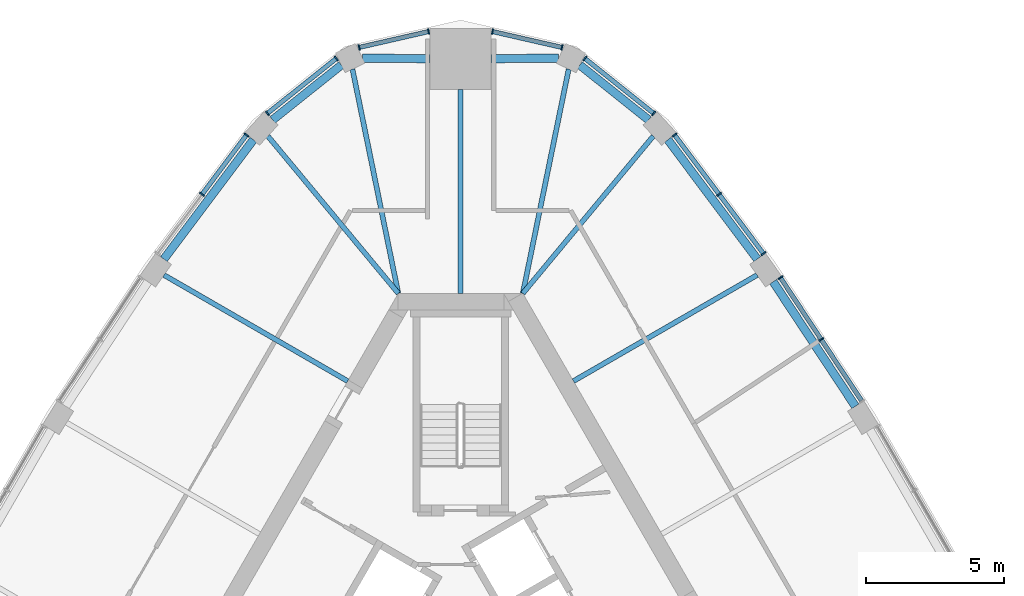
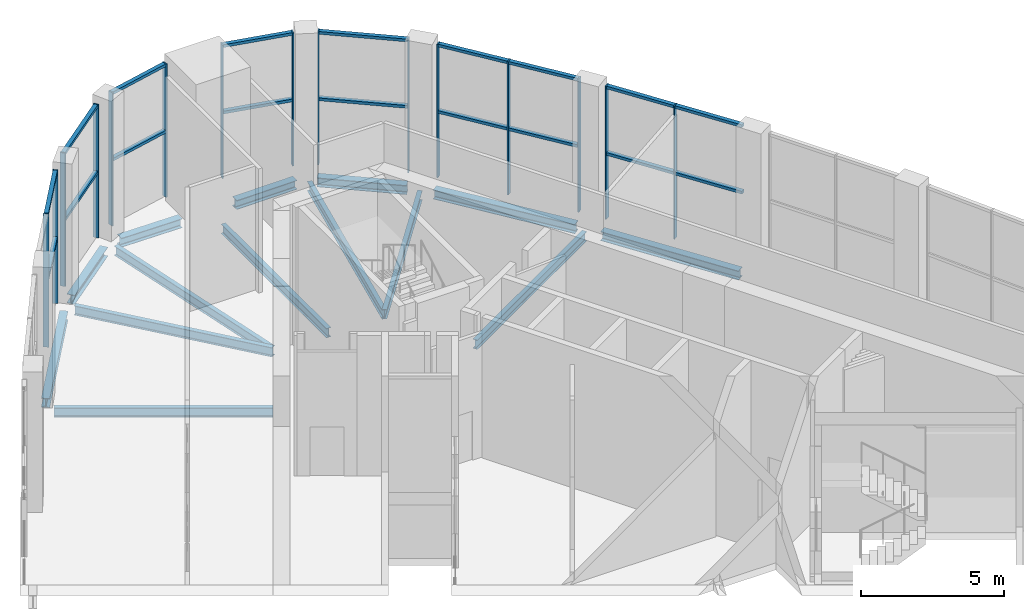
# One storey, part 7 of 15: 33 members, 14 beams, 3 elements without a shape of their own.
"""IFC4 building model written with IfcOpenShell, lengths in metres."""

from ifc_helpers import new_model, si_unit, direction, frame, origin, origin_2d, place, context, subcontext, project, spatial, rectangle, i_section, extrude, material, material_profile, profile_set, type_object, element, aggregate, save


model = new_model("IFC4")

# Units and contexts
model_context = context("Model", 3, precision=1e-05, world=origin(), true_north=direction((0.0, 1.0)))
body_context = subcontext(model_context, "Body", "Model", "MODEL_VIEW")
ifc_project = project(units=[si_unit("LENGTHUNIT", "METRE"), si_unit("AREAUNIT", "SQUARE_METRE"), si_unit("VOLUMEUNIT", "CUBIC_METRE"), si_unit("PLANEANGLEUNIT", "RADIAN"), si_unit("MASSUNIT", "GRAM", prefix="KILO")], contexts=[model_context])

# Site, building, storey
site_placement = place(None, origin())
site = spatial("IfcSite", under=ifc_project, at=site_placement, CompositionType="ELEMENT")
building_placement = place(site_placement, origin())
building = spatial("IfcBuilding", under=site, at=building_placement, Name="Mestral Congress Tower", CompositionType="ELEMENT")
storey_placement = place(building_placement, frame((0.0, 0.0, 321.60009765625)))
storey = spatial("IfcBuildingStorey", under=building, at=storey_placement, Name="L75", CompositionType="ELEMENT", Elevation=321.60009765625)

# Curtain wall, members
ifc_material_1 = material(Name="Clear low-emissivity double glazing", Category="glass")
curtain_wall_type = type_object("IfcCurtainWallType", Name="Facade lookout lounge curtain wall", PredefinedType="USERDEFINED", material=ifc_material_1)
placement = place(storey_placement, origin())
curtain_wall_1 = element("IfcCurtainWall", 1, at=placement, inside=storey, type_object=curtain_wall_type, Name="Facade lookout lounge curtain wall face 2", ObjectType="CURTAIN WALL", PredefinedType="USERDEFINED")
ifc_material_2 = material(Name="Anodised aluminium", Category="aluminium")
ifc_material_profile_1 = material_profile(ifc_material_2, rectangle(XDim=0.199951171875, YDim=0.050048828125, at=origin_2d()), Name="CW2 mullion 200 x 50")
ifc_profile_set_1 = profile_set([ifc_material_profile_1], Name="Anodised aluminium")
member_type_1 = type_object("IfcMemberType", Name="Facade lookout lounge curtain wall mullion", PredefinedType="MULLION", material=ifc_profile_set_1)
member_1_placement = place(storey_placement, frame((13.04443359375, 14.93408203125, 0.0), z_axis=(0.0, 0.0, 1.0), x_axis=(0.834674883443, 0.550742988107, 0.0)))
member_1 = element("IfcMember", 2, at=member_1_placement, type_object=member_type_1, Name="Facade lookout lounge curtain wall mullion", PredefinedType="MULLION", context=body_context, shape_type="SweptSolid", body=[
    extrude(rectangle(XDim=0.199951171875, YDim=0.050048828125, at=origin_2d()), origin(), (0.0, 0.0, 1.0), 5.699951171875),
])
member_2_placement = place(storey_placement, frame((11.569580078125, 17.16943359375, 0.0), z_axis=(0.0, 0.0, 1.0), x_axis=(0.834674883443, 0.550742988107, 0.0)))
member_2 = element("IfcMember", 3, at=member_2_placement, type_object=member_type_1, Name="Facade lookout lounge curtain wall mullion", PredefinedType="MULLION", context=body_context, shape_type="SweptSolid", body=[
    extrude(rectangle(XDim=0.199951171875, YDim=0.050048828125, at=origin_2d()), origin(), (0.0, 0.0, 1.0), 5.699951171875),
])
member_3_placement = place(storey_placement, frame((10.959228515625, 18.036865234375, 0.0), z_axis=(0.0, 0.0, 1.0), x_axis=(0.800343325056, 0.599541960198, 0.0)))
member_3 = element("IfcMember", 4, at=member_3_placement, type_object=member_type_1, Name="Facade lookout lounge curtain wall mullion", PredefinedType="MULLION", context=body_context, shape_type="SweptSolid", body=[
    extrude(rectangle(XDim=0.199951171875, YDim=0.050048828125, at=origin_2d()), origin(), (0.0, 0.0, 1.0), 5.699951171875),
])
member_4_placement = place(storey_placement, frame((9.35107421875, 20.183837890625, 0.0), z_axis=(0.0, 0.0, 1.0), x_axis=(0.800343325056, 0.599541960198, 0.0)))
member_4 = element("IfcMember", 5, at=member_4_placement, type_object=member_type_1, Name="Facade lookout lounge curtain wall mullion", PredefinedType="MULLION", context=body_context, shape_type="SweptSolid", body=[
    extrude(rectangle(XDim=0.199951171875, YDim=0.050048828125, at=origin_2d()), origin(), (0.0, 0.0, 1.0), 5.699951171875),
])
member_5_placement = place(storey_placement, frame((7.74267578125, 22.330810546875, 0.0), z_axis=(0.0, 0.0, 1.0), x_axis=(0.800343325056, 0.599541960198, 0.0)))
member_5 = element("IfcMember", 6, at=member_5_placement, type_object=member_type_1, Name="Facade lookout lounge curtain wall mullion", PredefinedType="MULLION", context=body_context, shape_type="SweptSolid", body=[
    extrude(rectangle(XDim=0.199951171875, YDim=0.050048828125, at=origin_2d()), origin(), (0.0, 0.0, 1.0), 5.699951171875),
])

curtain_wall_2 = element("IfcCurtainWall", 7, at=placement, inside=storey, type_object=curtain_wall_type, Name="Facade lookout lounge curtain wall face 3", ObjectType="CURTAIN WALL", PredefinedType="USERDEFINED")
member_6_placement = place(storey_placement, frame((-7.74267578125, 22.330810546875, 0.0), z_axis=(0.0, 0.0, 1.0), x_axis=(-0.800343325056, 0.599541960198, 0.0)))
member_6 = element("IfcMember", 8, at=member_6_placement, type_object=member_type_1, Name="Facade lookout lounge curtain wall mullion", PredefinedType="MULLION", context=body_context, shape_type="SweptSolid", body=[
    extrude(rectangle(XDim=0.199951171875, YDim=0.050048828125, at=origin_2d()), origin(), (0.0, 0.0, 1.0), 5.699951171875),
])
member_7_placement = place(storey_placement, frame((-9.35107421875, 20.183837890625, 0.0), z_axis=(0.0, 0.0, 1.0), x_axis=(-0.800343325056, 0.599541960198, 0.0)))
member_7 = element("IfcMember", 9, at=member_7_placement, type_object=member_type_1, Name="Facade lookout lounge curtain wall mullion", PredefinedType="MULLION", context=body_context, shape_type="SweptSolid", body=[
    extrude(rectangle(XDim=0.199951171875, YDim=0.050048828125, at=origin_2d()), origin(), (0.0, 0.0, 1.0), 5.699951171875),
])

curtain_wall_3 = element("IfcCurtainWall", 10, at=placement, inside=storey, type_object=curtain_wall_type, Name="Facade lookout lounge curtain wall corner 2", ObjectType="CURTAIN WALL", PredefinedType="USERDEFINED")
member_8_placement = place(storey_placement, frame((6.98583984375, 23.112060546875, 0.0), z_axis=(0.0, 0.0, 1.0), x_axis=(0.623737729336, 0.781633702576, 0.0)))
member_8 = element("IfcMember", 11, at=member_8_placement, type_object=member_type_1, Name="Facade lookout lounge curtain wall mullion", PredefinedType="MULLION", context=body_context, shape_type="SweptSolid", body=[
    extrude(rectangle(XDim=0.199951171875, YDim=0.050048828125, at=origin_2d()), origin(), (0.0, 0.0, 1.0), 5.699951171875),
])
member_9_placement = place(storey_placement, frame((4.4951171875, 25.099609375, 0.0), z_axis=(0.0, 0.0, 1.0), x_axis=(0.623737729336, 0.781633702576, 0.0)))
member_9 = element("IfcMember", 12, at=member_9_placement, type_object=member_type_1, Name="Facade lookout lounge curtain wall mullion", PredefinedType="MULLION", context=body_context, shape_type="SweptSolid", body=[
    extrude(rectangle(XDim=0.199951171875, YDim=0.050048828125, at=origin_2d()), origin(), (0.0, 0.0, 1.0), 5.699951171875),
])
member_10_placement = place(storey_placement, frame((3.668212890625, 25.498046875, 0.0), z_axis=(0.0, 0.0, 1.0), x_axis=(0.222646119072, 0.97489933104, 0.0)))
member_10 = element("IfcMember", 13, at=member_10_placement, type_object=member_type_1, Name="Facade lookout lounge curtain wall mullion", PredefinedType="MULLION", context=body_context, shape_type="SweptSolid", body=[
    extrude(rectangle(XDim=0.199951171875, YDim=0.050048828125, at=origin_2d()), origin(), (0.0, 0.0, 1.0), 5.699951171875),
])
member_11_placement = place(storey_placement, frame((1.156005859375, 26.07177734375, 0.0), z_axis=(0.0, 0.0, 1.0), x_axis=(0.222646119072, 0.97489933104, 0.0)))
member_11 = element("IfcMember", 14, at=member_11_placement, type_object=member_type_1, Name="Facade lookout lounge curtain wall mullion", PredefinedType="MULLION", context=body_context, shape_type="SweptSolid", body=[
    extrude(rectangle(XDim=0.199951171875, YDim=0.050048828125, at=origin_2d()), origin(), (0.0, 0.0, 1.0), 5.699951171875),
])
member_12_placement = place(storey_placement, frame((-1.156005859375, 26.07177734375, 0.0), z_axis=(0.0, 0.0, 1.0), x_axis=(-0.222646119072, 0.97489933104, 0.0)))
member_12 = element("IfcMember", 15, at=member_12_placement, type_object=member_type_1, Name="Facade lookout lounge curtain wall mullion", PredefinedType="MULLION", context=body_context, shape_type="SweptSolid", body=[
    extrude(rectangle(XDim=0.199951171875, YDim=0.050048828125, at=origin_2d()), origin(), (0.0, 0.0, 1.0), 5.699951171875),
])
member_13_placement = place(storey_placement, frame((-3.668212890625, 25.498046875, 0.0), z_axis=(0.0, 0.0, 1.0), x_axis=(-0.222646119072, 0.97489933104, 0.0)))
member_13 = element("IfcMember", 16, at=member_13_placement, type_object=member_type_1, Name="Facade lookout lounge curtain wall mullion", PredefinedType="MULLION", context=body_context, shape_type="SweptSolid", body=[
    extrude(rectangle(XDim=0.199951171875, YDim=0.050048828125, at=origin_2d()), origin(), (0.0, 0.0, 1.0), 5.699951171875),
])
member_14_placement = place(storey_placement, frame((-4.4951171875, 25.099609375, 0.0), z_axis=(0.0, 0.0, 1.0), x_axis=(-0.623737729336, 0.781633702576, 0.0)))
member_14 = element("IfcMember", 17, at=member_14_placement, type_object=member_type_1, Name="Facade lookout lounge curtain wall mullion", PredefinedType="MULLION", context=body_context, shape_type="SweptSolid", body=[
    extrude(rectangle(XDim=0.199951171875, YDim=0.050048828125, at=origin_2d()), origin(), (0.0, 0.0, 1.0), 5.699951171875),
])
member_15_placement = place(storey_placement, frame((-6.98583984375, 23.112060546875, 0.0), z_axis=(0.0, 0.0, 1.0), x_axis=(-0.623737729336, 0.781633702576, 0.0)))
member_15 = element("IfcMember", 18, at=member_15_placement, type_object=member_type_1, Name="Facade lookout lounge curtain wall mullion", PredefinedType="MULLION", context=body_context, shape_type="SweptSolid", body=[
    extrude(rectangle(XDim=0.199951171875, YDim=0.050048828125, at=origin_2d()), origin(), (0.0, 0.0, 1.0), 5.699951171875),
])

# Member
ifc_material_profile_2 = material_profile(ifc_material_2, rectangle(XDim=0.159912109375, YDim=0.1201171875, at=origin_2d()), Name="CW2 transom 160 x 120")
ifc_profile_set_2 = profile_set([ifc_material_profile_2], Name="Anodised aluminium")
member_type_2 = type_object("IfcMemberType", Name="Facade lookout lounge curtain wall transom", PredefinedType="USERDEFINED", material=ifc_profile_set_2)
member_16_placement = place(storey_placement, frame((14.505615234375, 12.719970703125, 2.7998046875), z_axis=(-0.5508137344, 0.834628198659, 0.0), x_axis=(-0.834628198659, -0.5508137344, 0.0)))
member_16 = element("IfcMember", 19, at=member_16_placement, type_object=member_type_2, Name="Facade lookout lounge curtain wall transom", ObjectType="TRANSOM", PredefinedType="USERDEFINED", context=body_context, shape_type="SweptSolid", body=[
    extrude(rectangle(XDim=0.159912109375, YDim=0.1201171875, at=origin_2d()), origin(), (0.0, 0.0, 1.0), 2.6279296875),
])

member_17_placement = place(storey_placement, frame((14.505615234375, 12.719970703125, 5.639892578125), z_axis=(-0.5508137344, 0.834628198659, 0.0), x_axis=(-0.834628198659, -0.5508137344, 0.0)))
member_17 = element("IfcMember", 20, at=member_17_placement, type_object=member_type_2, Name="Facade lookout lounge curtain wall transom", ObjectType="TRANSOM", PredefinedType="USERDEFINED", context=body_context, shape_type="SweptSolid", body=[
    extrude(rectangle(XDim=0.159912109375, YDim=0.1201171875, at=origin_2d()), origin(), (0.0, 0.0, 1.0), 2.6279296875),
])

member_18_placement = place(storey_placement, frame((13.030517578125, 14.955078125, 2.7998046875), z_axis=(-0.550706307837, 0.834699085005, 0.0), x_axis=(-0.834699085005, -0.550706307837, 0.0)))
member_18 = element("IfcMember", 21, at=member_18_placement, type_object=member_type_2, Name="Facade lookout lounge curtain wall transom", ObjectType="TRANSOM", PredefinedType="USERDEFINED", context=body_context, shape_type="SweptSolid", body=[
    extrude(rectangle(XDim=0.159912109375, YDim=0.1201171875, at=origin_2d()), origin(), (0.0, 0.0, 1.0), 2.6279296875),
])

member_19_placement = place(storey_placement, frame((13.030517578125, 14.955078125, 5.639892578125), z_axis=(-0.550706307837, 0.834699085005, 0.0), x_axis=(-0.834699085005, -0.550706307837, 0.0)))
member_19 = element("IfcMember", 22, at=member_19_placement, type_object=member_type_2, Name="Facade lookout lounge curtain wall transom", ObjectType="TRANSOM", PredefinedType="USERDEFINED", context=body_context, shape_type="SweptSolid", body=[
    extrude(rectangle(XDim=0.159912109375, YDim=0.1201171875, at=origin_2d()), origin(), (0.0, 0.0, 1.0), 2.6279296875),
])

member_20_placement = place(storey_placement, frame((10.9443359375, 18.056884765625, 2.7998046875), z_axis=(-0.599554762048, 0.800333734954, 0.0), x_axis=(-0.800333734954, -0.599554762048, 0.0)))
member_20 = element("IfcMember", 23, at=member_20_placement, type_object=member_type_2, Name="Facade lookout lounge curtain wall transom", ObjectType="TRANSOM", PredefinedType="USERDEFINED", context=body_context, shape_type="SweptSolid", body=[
    extrude(rectangle(XDim=0.159912109375, YDim=0.1201171875, at=origin_2d()), origin(), (0.0, 0.0, 1.0), 2.632568359375),
])

member_21_placement = place(storey_placement, frame((10.9443359375, 18.056884765625, 5.639892578125), z_axis=(-0.599554762048, 0.800333734954, 0.0), x_axis=(-0.800333734954, -0.599554762048, 0.0)))
member_21 = element("IfcMember", 24, at=member_21_placement, type_object=member_type_2, Name="Facade lookout lounge curtain wall transom", ObjectType="TRANSOM", PredefinedType="USERDEFINED", context=body_context, shape_type="SweptSolid", body=[
    extrude(rectangle(XDim=0.159912109375, YDim=0.1201171875, at=origin_2d()), origin(), (0.0, 0.0, 1.0), 2.632568359375),
])

member_22_placement = place(storey_placement, frame((9.3359375, 20.203857421875, 2.7998046875), z_axis=(-0.599495354888, 0.800378235254, 0.0), x_axis=(-0.800378235254, -0.599495354888, 0.0)))
member_22 = element("IfcMember", 25, at=member_22_placement, type_object=member_type_2, Name="Facade lookout lounge curtain wall transom", ObjectType="TRANSOM", PredefinedType="USERDEFINED", context=body_context, shape_type="SweptSolid", body=[
    extrude(rectangle(XDim=0.159912109375, YDim=0.1201171875, at=origin_2d()), origin(), (0.0, 0.0, 1.0), 2.63232421875),
])

member_23_placement = place(storey_placement, frame((9.3359375, 20.203857421875, 5.639892578125), z_axis=(-0.599495354888, 0.800378235254, 0.0), x_axis=(-0.800378235254, -0.599495354888, 0.0)))
member_23 = element("IfcMember", 26, at=member_23_placement, type_object=member_type_2, Name="Facade lookout lounge curtain wall transom", ObjectType="TRANSOM", PredefinedType="USERDEFINED", context=body_context, shape_type="SweptSolid", body=[
    extrude(rectangle(XDim=0.159912109375, YDim=0.1201171875, at=origin_2d()), origin(), (0.0, 0.0, 1.0), 2.63232421875),
])

aggregate(curtain_wall_1, [member_1, member_2, member_16, member_17, member_18, member_19, member_3, member_4, member_5, member_20, member_21, member_22, member_23])

member_24_placement = place(storey_placement, frame((-7.7578125, 22.310791015625, 2.7998046875), z_axis=(-0.599495354888, -0.800378235254, 0.0), x_axis=(0.800378235254, -0.599495354888, 0.0)))
member_24 = element("IfcMember", 27, at=member_24_placement, type_object=member_type_2, Name="Facade lookout lounge curtain wall transom", ObjectType="TRANSOM", PredefinedType="USERDEFINED", context=body_context, shape_type="SweptSolid", body=[
    extrude(rectangle(XDim=0.159912109375, YDim=0.1201171875, at=origin_2d()), origin(), (0.0, 0.0, 1.0), 2.63232421875),
])

member_25_placement = place(storey_placement, frame((-7.7578125, 22.310791015625, 5.639892578125), z_axis=(-0.599495354888, -0.800378235254, 0.0), x_axis=(0.800378235254, -0.599495354888, 0.0)))
member_25 = element("IfcMember", 28, at=member_25_placement, type_object=member_type_2, Name="Facade lookout lounge curtain wall transom", ObjectType="TRANSOM", PredefinedType="USERDEFINED", context=body_context, shape_type="SweptSolid", body=[
    extrude(rectangle(XDim=0.159912109375, YDim=0.1201171875, at=origin_2d()), origin(), (0.0, 0.0, 1.0), 2.63232421875),
])

aggregate(curtain_wall_2, [member_6, member_7, member_24, member_25])

member_26_placement = place(storey_placement, frame((6.96630859375, 23.127685546875, 2.7998046875), z_axis=(-0.781650375497, 0.623716835178, 0.0), x_axis=(-0.623716835178, -0.781650375497, 0.0)))
member_26 = element("IfcMember", 29, at=member_26_placement, type_object=member_type_2, Name="Facade lookout lounge curtain wall transom", ObjectType="TRANSOM", PredefinedType="USERDEFINED", context=body_context, shape_type="SweptSolid", body=[
    extrude(rectangle(XDim=0.159912109375, YDim=0.1201171875, at=origin_2d()), origin(), (0.0, 0.0, 1.0), 3.136474609375),
])

member_27_placement = place(storey_placement, frame((6.96630859375, 23.127685546875, 5.639892578125), z_axis=(-0.781650375497, 0.623716835178, 0.0), x_axis=(-0.623716835178, -0.781650375497, 0.0)))
member_27 = element("IfcMember", 30, at=member_27_placement, type_object=member_type_2, Name="Facade lookout lounge curtain wall transom", ObjectType="TRANSOM", PredefinedType="USERDEFINED", context=body_context, shape_type="SweptSolid", body=[
    extrude(rectangle(XDim=0.159912109375, YDim=0.1201171875, at=origin_2d()), origin(), (0.0, 0.0, 1.0), 3.136474609375),
])

member_28_placement = place(storey_placement, frame((3.643798828125, 25.503662109375, 2.7998046875), z_axis=(-0.974885483777, 0.222706743321, 0.0), x_axis=(-0.222706743321, -0.974885483777, 0.0)))
member_28 = element("IfcMember", 31, at=member_28_placement, type_object=member_type_2, Name="Facade lookout lounge curtain wall transom", ObjectType="TRANSOM", PredefinedType="USERDEFINED", context=body_context, shape_type="SweptSolid", body=[
    extrude(rectangle(XDim=0.159912109375, YDim=0.1201171875, at=origin_2d()), origin(), (0.0, 0.0, 1.0), 2.52685546875),
])

member_29_placement = place(storey_placement, frame((3.643798828125, 25.503662109375, 5.639892578125), z_axis=(-0.974885483777, 0.222706743321, 0.0), x_axis=(-0.222706743321, -0.974885483777, 0.0)))
member_29 = element("IfcMember", 32, at=member_29_placement, type_object=member_type_2, Name="Facade lookout lounge curtain wall transom", ObjectType="TRANSOM", PredefinedType="USERDEFINED", context=body_context, shape_type="SweptSolid", body=[
    extrude(rectangle(XDim=0.159912109375, YDim=0.1201171875, at=origin_2d()), origin(), (0.0, 0.0, 1.0), 2.52685546875),
])

member_30_placement = place(storey_placement, frame((-1.180419921875, 26.06640625, 2.7998046875), z_axis=(-0.974885483777, -0.222706743321, 0.0), x_axis=(0.222706743321, -0.974885483777, 0.0)))
member_30 = element("IfcMember", 33, at=member_30_placement, type_object=member_type_2, Name="Facade lookout lounge curtain wall transom", ObjectType="TRANSOM", PredefinedType="USERDEFINED", context=body_context, shape_type="SweptSolid", body=[
    extrude(rectangle(XDim=0.159912109375, YDim=0.1201171875, at=origin_2d()), origin(), (0.0, 0.0, 1.0), 2.52685546875),
])

member_31_placement = place(storey_placement, frame((-1.180419921875, 26.06640625, 5.639892578125), z_axis=(-0.974885483777, -0.222706743321, 0.0), x_axis=(0.222706743321, -0.974885483777, 0.0)))
member_31 = element("IfcMember", 34, at=member_31_placement, type_object=member_type_2, Name="Facade lookout lounge curtain wall transom", ObjectType="TRANSOM", PredefinedType="USERDEFINED", context=body_context, shape_type="SweptSolid", body=[
    extrude(rectangle(XDim=0.159912109375, YDim=0.1201171875, at=origin_2d()), origin(), (0.0, 0.0, 1.0), 2.52685546875),
])

member_32_placement = place(storey_placement, frame((-4.5146484375, 25.083984375, 2.7998046875), z_axis=(-0.781650375497, -0.623716835178, 0.0), x_axis=(0.623716835178, -0.781650375497, 0.0)))
member_32 = element("IfcMember", 35, at=member_32_placement, type_object=member_type_2, Name="Facade lookout lounge curtain wall transom", ObjectType="TRANSOM", PredefinedType="USERDEFINED", context=body_context, shape_type="SweptSolid", body=[
    extrude(rectangle(XDim=0.159912109375, YDim=0.1201171875, at=origin_2d()), origin(), (0.0, 0.0, 1.0), 3.136474609375),
])

member_33_placement = place(storey_placement, frame((-4.5146484375, 25.083984375, 5.639892578125), z_axis=(-0.781650375497, -0.623716835178, 0.0), x_axis=(0.623716835178, -0.781650375497, 0.0)))
member_33 = element("IfcMember", 36, at=member_33_placement, type_object=member_type_2, Name="Facade lookout lounge curtain wall transom", ObjectType="TRANSOM", PredefinedType="USERDEFINED", context=body_context, shape_type="SweptSolid", body=[
    extrude(rectangle(XDim=0.159912109375, YDim=0.1201171875, at=origin_2d()), origin(), (0.0, 0.0, 1.0), 3.136474609375),
])

aggregate(curtain_wall_3, [member_8, member_9, member_26, member_27, member_10, member_11, member_28, member_29, member_12, member_13, member_30, member_31, member_14, member_15, member_32, member_33])

# Beams
ifc_material_3 = material(Name="Steel S355", Category="steel")
ifc_material_profile_3 = material_profile(ifc_material_3, i_section(OverallWidth=0.179931640625, OverallDepth=0.39990234375, WebThickness=0.008544921875, FlangeThickness=0.013427734375, FilletRadius=0.02099609375, at=origin_2d()), Name="IPE 400")
ifc_profile_set_3 = profile_set([ifc_material_profile_3], Name="Steel S355")
beam_type_1 = type_object("IfcBeamType", Name="Floor beam IPE 400 S355", PredefinedType="BEAM", material=ifc_profile_set_3)
beam_1_placement = place(storey_placement, frame((10.7275390625, 17.263916015625, -0.5), z_axis=(-0.866019720907, -0.500009842903, 0.0), x_axis=(0.500009842903, -0.866019720907, 0.0)))
element("IfcBeam", 37, at=beam_1_placement, inside=storey, type_object=beam_type_1, Name="BM-L75-RB5-E04", PredefinedType="BEAM", context=body_context, shape_type="SweptSolid", body=[
    extrude(i_section(OverallWidth=0.179931640625, OverallDepth=0.39990234375, WebThickness=0.008544921875, FlangeThickness=0.013427734375, FilletRadius=0.02099609375, at=origin_2d()), origin(), (0.0, 0.0, 1.0), 7.672119140625),
])
beam_2_placement = place(storey_placement, frame((6.969970703125, 22.2890625, -0.5), z_axis=(-0.638382651591, -0.769719163168, 0.0), x_axis=(0.769719163168, -0.638382651591, 0.0)))
element("IfcBeam", 38, at=beam_2_placement, inside=storey, type_object=beam_type_1, Name="BM-L75-RB5-E05", PredefinedType="BEAM", context=body_context, shape_type="SweptSolid", body=[
    extrude(i_section(OverallWidth=0.179931640625, OverallDepth=0.39990234375, WebThickness=0.008544921875, FlangeThickness=0.013427734375, FilletRadius=0.02099609375, at=origin_2d()), origin(), (0.0, 0.0, 1.0), 7.390869140625),
])
beam_3_placement = place(storey_placement, frame((3.910888671875, 24.7119140625, -0.5), z_axis=(-0.200389803804, -0.979716247967, 0.0), x_axis=(0.979716247967, -0.200389803804, 0.0)))
element("IfcBeam", 39, at=beam_3_placement, inside=storey, type_object=beam_type_1, Name="BM-L75-RB5-N1", PredefinedType="BEAM", context=body_context, shape_type="SweptSolid", body=[
    extrude(i_section(OverallWidth=0.179931640625, OverallDepth=0.39990234375, WebThickness=0.008544921875, FlangeThickness=0.013427734375, FilletRadius=0.02099609375, at=origin_2d()), origin(), (0.0, 0.0, 1.0), 8.27978515625),
])
beam_4_placement = place(storey_placement, frame((0.0, 23.97802734375, -0.5), z_axis=(0.0, -1.0, 0.0), x_axis=(1.0, 0.0, 0.0)))
element("IfcBeam", 40, at=beam_4_placement, inside=storey, type_object=beam_type_1, Name="BM-L75-RB5-N", PredefinedType="BEAM", context=body_context, shape_type="SweptSolid", body=[
    extrude(i_section(OverallWidth=0.179931640625, OverallDepth=0.39990234375, WebThickness=0.008544921875, FlangeThickness=0.013427734375, FilletRadius=0.02099609375, at=origin_2d()), origin(), (0.0, 0.0, 1.0), 7.3779296875),
])
beam_5_placement = place(storey_placement, frame((-3.910888671875, 24.7119140625, -0.5), z_axis=(0.200389803804, -0.979716247967, 0.0), x_axis=(0.979716247967, 0.200389803804, 0.0)))
element("IfcBeam", 41, at=beam_5_placement, inside=storey, type_object=beam_type_1, Name="BM-L75-RB5-N3", PredefinedType="BEAM", context=body_context, shape_type="SweptSolid", body=[
    extrude(i_section(OverallWidth=0.179931640625, OverallDepth=0.39990234375, WebThickness=0.008544921875, FlangeThickness=0.013427734375, FilletRadius=0.02099609375, at=origin_2d()), origin(), (0.0, 0.0, 1.0), 8.27978515625),
])
beam_6_placement = place(storey_placement, frame((-6.969970703125, 22.2890625, -0.5), z_axis=(0.638382651591, -0.769719163168, 0.0), x_axis=(0.769719163168, 0.638382651591, 0.0)))
element("IfcBeam", 42, at=beam_6_placement, inside=storey, type_object=beam_type_1, Name="BM-L75-RB5-W00", PredefinedType="BEAM", context=body_context, shape_type="SweptSolid", body=[
    extrude(i_section(OverallWidth=0.179931640625, OverallDepth=0.39990234375, WebThickness=0.008544921875, FlangeThickness=0.013427734375, FilletRadius=0.02099609375, at=origin_2d()), origin(), (0.0, 0.0, 1.0), 7.390869140625),
])
beam_7_placement = place(storey_placement, frame((-10.7275390625, 17.263916015625, -0.5), z_axis=(0.866019720907, -0.500009842903, 0.0), x_axis=(0.500009842903, 0.866019720907, 0.0)))
element("IfcBeam", 43, at=beam_7_placement, inside=storey, type_object=beam_type_1, Name="BM-L75-RB5-W01", PredefinedType="BEAM", context=body_context, shape_type="SweptSolid", body=[
    extrude(i_section(OverallWidth=0.179931640625, OverallDepth=0.39990234375, WebThickness=0.008544921875, FlangeThickness=0.013427734375, FilletRadius=0.02099609375, at=origin_2d()), origin(), (0.0, 0.0, 1.0), 7.672119140625),
])
ifc_material_profile_4 = material_profile(ifc_material_3, i_section(OverallWidth=0.300048828125, OverallDepth=0.389892578125, WebThickness=0.010986328125, FlangeThickness=0.01904296875, FilletRadius=0.027099609375, at=origin_2d()), Name="HEA 400")
ifc_profile_set_4 = profile_set([ifc_material_profile_4], Name="Steel S355")
beam_type_2 = type_object("IfcBeamType", Name="Spandrel beam HEA 400 S355", PredefinedType="BEAM", material=ifc_profile_set_4)
beam_8_placement = place(storey_placement, frame((14.280517578125, 12.51611328125, -0.4951171875), z_axis=(-0.550748957655, 0.83467094453, 0.0), x_axis=(-0.83467094453, -0.550748957655, 0.0)))
element("IfcBeam", 44, at=beam_8_placement, inside=storey, type_object=beam_type_2, Name="SP-L75-SB5-E03", PredefinedType="BEAM", context=body_context, shape_type="SweptSolid", body=[
    extrude(i_section(OverallWidth=0.300048828125, OverallDepth=0.389892578125, WebThickness=0.010986328125, FlangeThickness=0.01904296875, FilletRadius=0.027099609375, at=origin_2d()), origin(), (0.0, 0.0, 1.0), 5.3984375),
])
beam_9_placement = place(storey_placement, frame((10.73193359375, 17.83984375, -0.4951171875), z_axis=(-0.599529393236, 0.800352738888, 0.0), x_axis=(-0.800352738888, -0.599529393236, 0.0)))
element("IfcBeam", 45, at=beam_9_placement, inside=storey, type_object=beam_type_2, Name="SP-L75-SB5-E04", PredefinedType="BEAM", context=body_context, shape_type="SweptSolid", body=[
    extrude(i_section(OverallWidth=0.300048828125, OverallDepth=0.389892578125, WebThickness=0.010986328125, FlangeThickness=0.01904296875, FilletRadius=0.027099609375, at=origin_2d()), origin(), (0.0, 0.0, 1.0), 5.396484375),
])
beam_10_placement = place(storey_placement, frame((6.7998046875, 22.876708984375, -0.4951171875), z_axis=(-0.781647188603, 0.623720829016, 0.0), x_axis=(-0.623720829016, -0.781647188603, 0.0)))
element("IfcBeam", 46, at=beam_10_placement, inside=storey, type_object=beam_type_2, Name="SP-L75-SB5-E05", PredefinedType="BEAM", context=body_context, shape_type="SweptSolid", body=[
    extrude(i_section(OverallWidth=0.300048828125, OverallDepth=0.389892578125, WebThickness=0.010986328125, FlangeThickness=0.01904296875, FilletRadius=0.027099609375, at=origin_2d()), origin(), (0.0, 0.0, 1.0), 3.179931640625),
])
for number, where, z_axis, x_axis, name in (
    (47, (3.54736328125, 25.11181640625, -0.4951171875), (-0.999955093848, -0.009476829002, 0.0), (0.009476829002, -0.999955093848, 0.0), "SP-L75-SB5-N1"),
    (48, (-1.10009765625, 25.088623046875, -0.4951171875), (-0.999955093848, 0.009476829002, 0.0), (-0.009476829002, -0.999955093848, 0.0), "SP-L75-SB5-N"),
):
    element("IfcBeam", number, at=place(storey_placement, frame(where, z_axis=z_axis, x_axis=x_axis)), inside=storey, type_object=beam_type_2, Name=name, PredefinedType="BEAM", context=body_context, shape_type="SweptSolid", body=[
        extrude(i_section(OverallWidth=0.300048828125, OverallDepth=0.389892578125, WebThickness=0.010986328125, FlangeThickness=0.01904296875, FilletRadius=0.027099609375, at=origin_2d()), origin(), (0.0, 0.0, 1.0), 2.447265625),
    ])
beam_11_placement = place(storey_placement, frame((-4.314208984375, 24.860107421875, -0.4951171875), z_axis=(-0.781647188603, -0.623720829016, 0.0), x_axis=(0.623720829016, -0.781647188603, 0.0)))
element("IfcBeam", 49, at=beam_11_placement, inside=storey, type_object=beam_type_2, Name="SP-L75-SB5-N3", PredefinedType="BEAM", context=body_context, shape_type="SweptSolid", body=[
    extrude(i_section(OverallWidth=0.300048828125, OverallDepth=0.389892578125, WebThickness=0.010986328125, FlangeThickness=0.01904296875, FilletRadius=0.027099609375, at=origin_2d()), origin(), (0.0, 0.0, 1.0), 3.179931640625),
])
beam_12_placement = place(storey_placement, frame((-7.49658203125, 22.158935546875, -0.4951171875), z_axis=(-0.599529393236, -0.800352738888, 0.0), x_axis=(0.800352738888, -0.599529393236, 0.0)))
element("IfcBeam", 50, at=beam_12_placement, inside=storey, type_object=beam_type_2, Name="SP-L75-SB5-W00", PredefinedType="BEAM", context=body_context, shape_type="SweptSolid", body=[
    extrude(i_section(OverallWidth=0.300048828125, OverallDepth=0.389892578125, WebThickness=0.010986328125, FlangeThickness=0.01904296875, FilletRadius=0.027099609375, at=origin_2d()), origin(), (0.0, 0.0, 1.0), 5.396484375),
])

save(model, "model.ifc")
